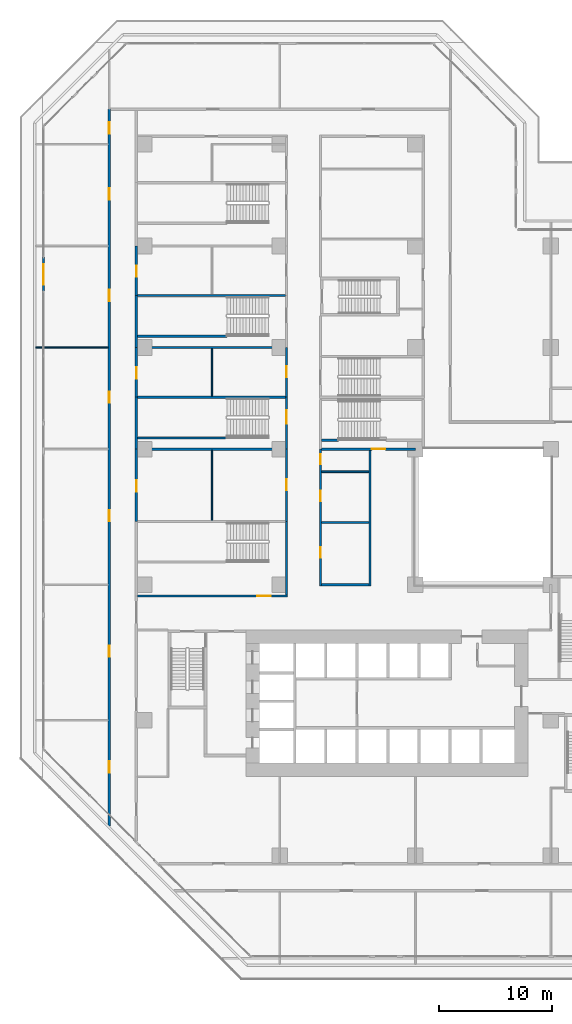
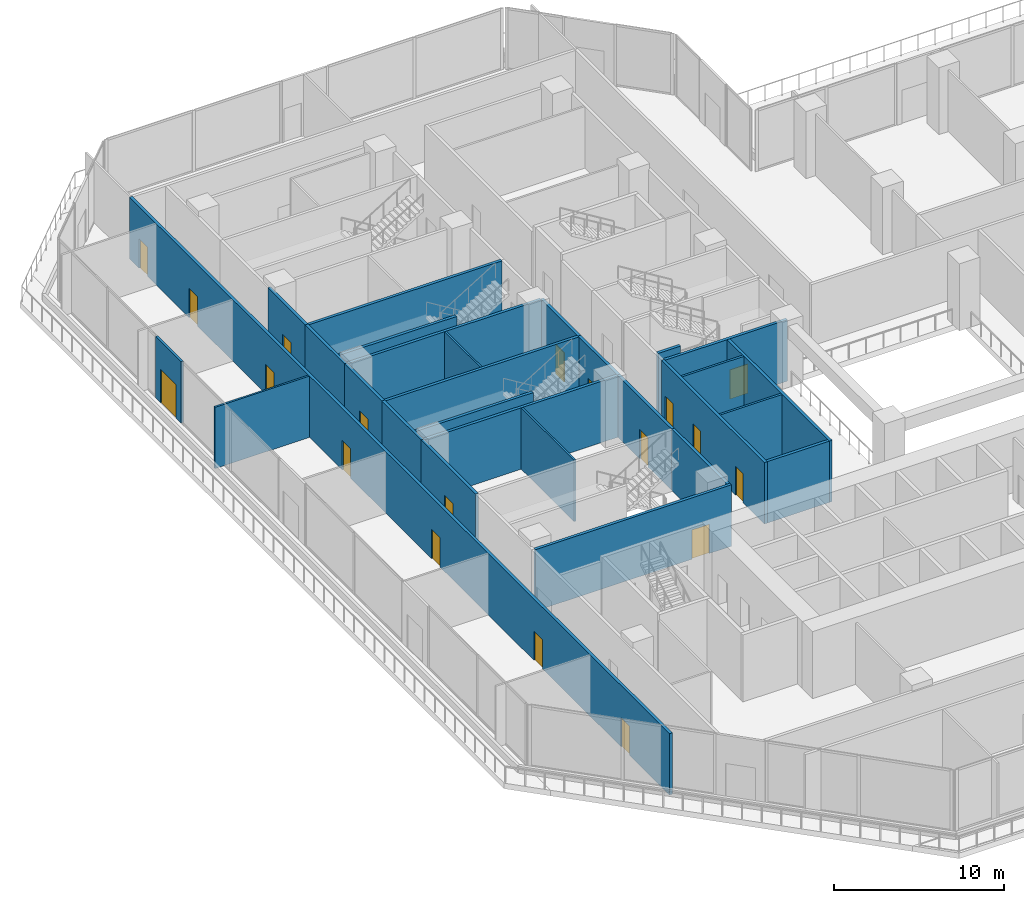
# One storey, part 15 of 26: 28 walls, 19 doors, 19 openings.
"""IFC4 building model written with IfcOpenShell, lengths in metres."""

from ifc_helpers import new_model, si_unit, direction, frame, frame_2d, origin, place, context, subcontext, project, spatial, rectangle, extrude, material, layer, layer_set, type_object, element, fill, save


model = new_model("IFC4")

# Units and contexts
model_context = context("Model", 3, precision=1e-05, world=origin(), true_north=direction((0.0, 1.0)))
body_context = subcontext(model_context, "Body", "Model", "MODEL_VIEW")
ifc_project = project(units=[si_unit("LENGTHUNIT", "METRE"), si_unit("AREAUNIT", "SQUARE_METRE"), si_unit("VOLUMEUNIT", "CUBIC_METRE"), si_unit("PLANEANGLEUNIT", "RADIAN"), si_unit("MASSUNIT", "GRAM", prefix="KILO")], contexts=[model_context])

# Site, building, storey
site_placement = place(None, origin())
site = spatial("IfcSite", under=ifc_project, at=site_placement, CompositionType="ELEMENT")
building_placement = place(site_placement, origin())
building = spatial("IfcBuilding", under=site, at=building_placement, Name="Chenar Terraces", CompositionType="ELEMENT")
storey_placement = place(building_placement, frame((0.0, 0.0, 16.800048828125)))
storey = spatial("IfcBuildingStorey", under=building, at=storey_placement, Name="L03", CompositionType="ELEMENT", Elevation=16.800048828125)

# Walls
ifc_material_1 = material(Name="Gypsum board on steel studs with mineral wool", Category="steel")
ifc_layer_1 = layer(ifc_material_1, 0.125)
ifc_layer_set_1 = layer_set([ifc_layer_1], Name="Gypsum board on steel studs with mineral wool")
wall_type_1 = type_object("IfcWallType", Name="Acoustic partition 125", PredefinedType="PARTITIONING", material=ifc_layer_set_1)
wall_1_placement = place(storey_placement, frame((-9.60009765625, 45.0, 0.0), z_axis=(0.0, 0.0, 1.0), x_axis=(1.0, 0.0, 0.0)))
element("IfcWall", 1, at=wall_1_placement, inside=storey, type_object=wall_type_1, Name="Partition L03-002", PredefinedType="PARTITIONING", context=body_context, shape_type="SweptSolid", body=[
    extrude(rectangle(XDim=6.400146484375, YDim=0.125, at=frame_2d((3.2001953125, 0.0))), origin(), (0.0, 0.0, 1.0), 4.39990234375),
])
wall_2_placement = place(storey_placement, frame((6.0, 29.699951171875, 0.0), z_axis=(0.0, 0.0, 1.0), x_axis=(0.0, 1.0, 0.0)))
element("IfcWall", 2, at=wall_2_placement, inside=storey, type_object=wall_type_1, Name="Partition L03-034", PredefinedType="PARTITIONING", context=body_context, shape_type="SweptSolid", body=[
    extrude(rectangle(XDim=6.199951171875, YDim=0.125, at=frame_2d((3.10009765625, 0.0))), origin(), (0.0, 0.0, 1.0), 4.39990234375),
])
wall_3_placement = place(storey_placement, frame((6.0, 40.699951171875, 0.0), z_axis=(0.0, 0.0, 1.0), x_axis=(0.0, 1.0, 0.0)))
element("IfcWall", 3, at=wall_3_placement, inside=storey, type_object=wall_type_1, Name="Partition L03-035", PredefinedType="PARTITIONING", context=body_context, shape_type="SweptSolid", body=[
    extrude(rectangle(XDim=4.199951171875, YDim=0.125, at=frame_2d((2.10009765625, 0.0))), origin(), (0.0, 0.0, 1.0), 4.39990234375),
])

# Wall, openings, doors
ifc_material_2 = material(Name="Gypsum board on steel studs with fire boards", Category="steel")
ifc_layer_2 = layer(ifc_material_2, 0.199951171875)
ifc_layer_set_2 = layer_set([ifc_layer_2], Name="Gypsum board on steel studs with fire boards")
wall_type_2 = type_object("IfcWallType", Name="Corridor wall 200", PredefinedType="PARTITIONING", material=ifc_layer_set_2)
wall_4_placement = place(storey_placement, frame((-3.10009765625, 2.64501953125, 0.0), z_axis=(0.0, 0.0, 1.0), x_axis=(0.0, 1.0, 0.0)))
wall_4 = element("IfcWall", 4, at=wall_4_placement, inside=storey, type_object=wall_type_2, Name="Partition L03-007", PredefinedType="PARTITIONING", context=body_context, shape_type="SweptSolid", body=[
    extrude(rectangle(XDim=63.455078125, YDim=0.199951171875, at=frame_2d((31.7275390625, 0.0))), origin(), (0.0, 0.0, 1.0), 4.39990234375),
])
opening_1_placement = place(wall_4_placement, frame((4.705078125, 0.0, 0.0)))
opening_1 = element("IfcOpeningElement", 5, at=opening_1_placement, cuts=wall_4, Name="Opening DL03-57", PredefinedType="OPENING", context=body_context, shape_type="SweptSolid", body=[
    extrude(rectangle(XDim=1.0, YDim=2.10009765625, at=frame_2d((0.5, 1.050048828125))), frame((0.0, 0.10986328125, 0.0), z_axis=(0.0, -1.0, 0.0), x_axis=(1.0, 0.0, 0.0)), (0.0, 0.0, 1.0), 0.219970703125),
])
opening_2_placement = place(wall_4_placement, frame((14.955078125, 0.0, 0.0)))
opening_2 = element("IfcOpeningElement", 6, at=opening_2_placement, cuts=wall_4, Name="Opening DL03-58", PredefinedType="OPENING", context=body_context, shape_type="SweptSolid", body=[
    extrude(rectangle(XDim=1.0, YDim=2.10009765625, at=frame_2d((0.5, 1.050048828125))), frame((0.0, 0.10986328125, 0.0), z_axis=(0.0, -1.0, 0.0), x_axis=(1.0, 0.0, 0.0)), (0.0, 0.0, 1.0), 0.219970703125),
])
opening_3_placement = place(wall_4_placement, frame((26.955078125, 0.0, 0.0)))
opening_3 = element("IfcOpeningElement", 7, at=opening_3_placement, cuts=wall_4, Name="Opening DL03-59", PredefinedType="OPENING", context=body_context, shape_type="SweptSolid", body=[
    extrude(rectangle(XDim=1.0, YDim=2.10009765625, at=frame_2d((0.5, 1.050048828125))), frame((0.0, 0.10986328125, 0.0), z_axis=(0.0, -1.0, 0.0), x_axis=(1.0, 0.0, 0.0)), (0.0, 0.0, 1.0), 0.219970703125),
])
opening_4_placement = place(wall_4_placement, frame((37.455078125, 0.0, 0.0)))
opening_4 = element("IfcOpeningElement", 8, at=opening_4_placement, cuts=wall_4, Name="Opening DL03-60", PredefinedType="OPENING", context=body_context, shape_type="SweptSolid", body=[
    extrude(rectangle(XDim=1.0, YDim=2.10009765625, at=frame_2d((0.5, 1.050048828125))), frame((0.0, 0.10986328125, 0.0), z_axis=(0.0, -1.0, 0.0), x_axis=(1.0, 0.0, 0.0)), (0.0, 0.0, 1.0), 0.219970703125),
])
opening_5_placement = place(wall_4_placement, frame((46.455078125, 0.0, 0.0)))
opening_5 = element("IfcOpeningElement", 9, at=opening_5_placement, cuts=wall_4, Name="Opening DL03-61", PredefinedType="OPENING", context=body_context, shape_type="SweptSolid", body=[
    extrude(rectangle(XDim=1.0, YDim=2.10009765625, at=frame_2d((0.5, 1.050048828125))), frame((0.0, 0.10986328125, 0.0), z_axis=(0.0, -1.0, 0.0), x_axis=(1.0, 0.0, 0.0)), (0.0, 0.0, 1.0), 0.219970703125),
])
opening_6_placement = place(wall_4_placement, frame((55.455078125, 0.0, 0.0)))
opening_6 = element("IfcOpeningElement", 10, at=opening_6_placement, cuts=wall_4, Name="Opening DL03-62", PredefinedType="OPENING", context=body_context, shape_type="SweptSolid", body=[
    extrude(rectangle(XDim=1.0, YDim=2.10009765625, at=frame_2d((0.5, 1.050048828125))), frame((0.0, 0.10986328125, 0.0), z_axis=(0.0, -1.0, 0.0), x_axis=(1.0, 0.0, 0.0)), (0.0, 0.0, 1.0), 0.219970703125),
])
opening_7_placement = place(wall_4_placement, frame((61.304931640625, 0.0, 0.0)))
opening_7 = element("IfcOpeningElement", 11, at=opening_7_placement, cuts=wall_4, Name="Opening DL03-63", PredefinedType="OPENING", context=body_context, shape_type="SweptSolid", body=[
    extrude(rectangle(XDim=1.0, YDim=2.10009765625, at=frame_2d((0.5, 1.050048828125))), frame((0.0, 0.10986328125, 0.0), z_axis=(0.0, -1.0, 0.0), x_axis=(1.0, 0.0, 0.0)), (0.0, 0.0, 1.0), 0.219970703125),
])
ifc_material_3 = material(Name="Steel-framed fire-resisting door leaf", Category="steel")
door_type_1 = type_object("IfcDoorType", Name="Fire door FD60 1000 x 2100", OperationType="SINGLE_SWING_LEFT", PredefinedType="DOOR", material=ifc_material_3)
door_1_placement = place(opening_1_placement, origin())
door_1 = element("IfcDoor", 12, at=door_1_placement, inside=storey, type_object=door_type_1, Name="Door DL03-57", OperationType="SINGLE_SWING_LEFT", OverallHeight=2.10009765625, OverallWidth=1.0, PredefinedType="DOOR", context=body_context, shape_type="SweptSolid", body=[
    extrude(rectangle(XDim=1.0, YDim=2.10009765625, at=frame_2d((0.5, 1.050048828125))), frame((0.0, 0.02490234375, 0.0), z_axis=(0.0, -1.0, 0.0), x_axis=(1.0, 0.0, 0.0)), (0.0, 0.0, 1.0), 0.050048828125),
])
fill(opening_1, door_1)
door_2_placement = place(opening_2_placement, origin())
door_2 = element("IfcDoor", 13, at=door_2_placement, inside=storey, type_object=door_type_1, Name="Door DL03-58", OperationType="SINGLE_SWING_RIGHT", OverallHeight=2.10009765625, OverallWidth=1.0, PredefinedType="DOOR", context=body_context, shape_type="SweptSolid", body=[
    extrude(rectangle(XDim=1.0, YDim=2.10009765625, at=frame_2d((0.5, 1.050048828125))), frame((0.0, 0.02490234375, 0.0), z_axis=(0.0, -1.0, 0.0), x_axis=(1.0, 0.0, 0.0)), (0.0, 0.0, 1.0), 0.050048828125),
])
fill(opening_2, door_2)
door_3_placement = place(opening_3_placement, origin())
door_3 = element("IfcDoor", 14, at=door_3_placement, inside=storey, type_object=door_type_1, Name="Door DL03-59", OperationType="SINGLE_SWING_RIGHT", OverallHeight=2.10009765625, OverallWidth=1.0, PredefinedType="DOOR", context=body_context, shape_type="SweptSolid", body=[
    extrude(rectangle(XDim=1.0, YDim=2.10009765625, at=frame_2d((0.5, 1.050048828125))), frame((0.0, 0.02490234375, 0.0), z_axis=(0.0, -1.0, 0.0), x_axis=(1.0, 0.0, 0.0)), (0.0, 0.0, 1.0), 0.050048828125),
])
fill(opening_3, door_3)
door_4_placement = place(opening_4_placement, origin())
door_4 = element("IfcDoor", 15, at=door_4_placement, inside=storey, type_object=door_type_1, Name="Door DL03-60", OperationType="SINGLE_SWING_LEFT", OverallHeight=2.10009765625, OverallWidth=1.0, PredefinedType="DOOR", context=body_context, shape_type="SweptSolid", body=[
    extrude(rectangle(XDim=1.0, YDim=2.10009765625, at=frame_2d((0.5, 1.050048828125))), frame((0.0, 0.02490234375, 0.0), z_axis=(0.0, -1.0, 0.0), x_axis=(1.0, 0.0, 0.0)), (0.0, 0.0, 1.0), 0.050048828125),
])
fill(opening_4, door_4)
door_5_placement = place(opening_5_placement, origin())
door_5 = element("IfcDoor", 16, at=door_5_placement, inside=storey, type_object=door_type_1, Name="Door DL03-61", OperationType="SINGLE_SWING_LEFT", OverallHeight=2.10009765625, OverallWidth=1.0, PredefinedType="DOOR", context=body_context, shape_type="SweptSolid", body=[
    extrude(rectangle(XDim=1.0, YDim=2.10009765625, at=frame_2d((0.5, 1.050048828125))), frame((0.0, 0.02490234375, 0.0), z_axis=(0.0, -1.0, 0.0), x_axis=(1.0, 0.0, 0.0)), (0.0, 0.0, 1.0), 0.050048828125),
])
fill(opening_5, door_5)
door_6_placement = place(opening_6_placement, origin())
door_6 = element("IfcDoor", 17, at=door_6_placement, inside=storey, type_object=door_type_1, Name="Door DL03-62", OperationType="SINGLE_SWING_LEFT", OverallHeight=2.10009765625, OverallWidth=1.0, PredefinedType="DOOR", context=body_context, shape_type="SweptSolid", body=[
    extrude(rectangle(XDim=1.0, YDim=2.10009765625, at=frame_2d((0.5, 1.050048828125))), frame((0.0, 0.02490234375, 0.0), z_axis=(0.0, -1.0, 0.0), x_axis=(1.0, 0.0, 0.0)), (0.0, 0.0, 1.0), 0.050048828125),
])
fill(opening_6, door_6)
door_7_placement = place(opening_7_placement, origin())
door_7 = element("IfcDoor", 18, at=door_7_placement, inside=storey, type_object=door_type_1, Name="Door DL03-63", OperationType="SINGLE_SWING_LEFT", OverallHeight=2.10009765625, OverallWidth=1.0, PredefinedType="DOOR", context=body_context, shape_type="SweptSolid", body=[
    extrude(rectangle(XDim=1.0, YDim=2.10009765625, at=frame_2d((0.5, 1.050048828125))), frame((0.0, 0.02490234375, 0.0), z_axis=(0.0, -1.0, 0.0), x_axis=(1.0, 0.0, 0.0)), (0.0, 0.0, 1.0), 0.050048828125),
])
fill(opening_7, door_7)

# Wall, opening, door
wall_5_placement = place(storey_placement, frame((-0.699951171875, 29.60009765625, 0.0), z_axis=(0.0, 0.0, 1.0), x_axis=(0.0, 1.0, 0.0)))
wall_5 = element("IfcWall", 19, at=wall_5_placement, inside=storey, type_object=wall_type_2, Name="Partition L03-012", PredefinedType="PARTITIONING", context=body_context, shape_type="SweptSolid", body=[
    extrude(rectangle(XDim=6.39990234375, YDim=0.199951171875, at=frame_2d((3.199951171875, 0.0))), origin(), (0.0, 0.0, 1.0), 4.39990234375),
])
opening_8_placement = place(wall_5_placement, frame((2.64990234375, 0.0, 0.0)))
opening_8 = element("IfcOpeningElement", 20, at=opening_8_placement, cuts=wall_5, Name="Opening DL03-32", PredefinedType="OPENING", context=body_context, shape_type="SweptSolid", body=[
    extrude(rectangle(XDim=1.0, YDim=2.10009765625, at=frame_2d((0.5, 1.050048828125))), frame((0.0, 0.10986328125, 0.0), z_axis=(0.0, -1.0, 0.0), x_axis=(1.0, 0.0, 0.0)), (0.0, 0.0, 1.0), 0.219970703125),
])
door_8_placement = place(opening_8_placement, frame((1.0, 0.0, 0.0), z_axis=(0.0, 0.0, 1.0), x_axis=(-1.0, 0.0, 0.0)))
door_8 = element("IfcDoor", 21, at=door_8_placement, inside=storey, type_object=door_type_1, Name="Door DL03-32", OperationType="SINGLE_SWING_LEFT", OverallHeight=2.10009765625, OverallWidth=1.0, PredefinedType="DOOR", context=body_context, shape_type="SweptSolid", body=[
    extrude(rectangle(XDim=1.0, YDim=2.10009765625, at=frame_2d((0.5, 1.050048828125))), frame((0.0, 0.02490234375, 0.0), z_axis=(0.0, -1.0, 0.0), x_axis=(1.0, 0.0, 0.0)), (0.0, 0.0, 1.0), 0.050048828125),
])
fill(opening_8, door_8)

wall_6_placement = place(storey_placement, frame((-0.699951171875, 40.60009765625, 0.0), z_axis=(0.0, 0.0, 1.0), x_axis=(0.0, 1.0, 0.0)))
wall_6 = element("IfcWall", 22, at=wall_6_placement, inside=storey, type_object=wall_type_2, Name="Partition L03-014", PredefinedType="PARTITIONING", context=body_context, shape_type="SweptSolid", body=[
    extrude(rectangle(XDim=4.39990234375, YDim=0.199951171875, at=frame_2d((2.199951171875, 0.0))), origin(), (0.0, 0.0, 1.0), 4.39990234375),
])
opening_9_placement = place(wall_6_placement, frame((1.64990234375, 0.0, 0.0)))
opening_9 = element("IfcOpeningElement", 23, at=opening_9_placement, cuts=wall_6, Name="Opening DL03-33", PredefinedType="OPENING", context=body_context, shape_type="SweptSolid", body=[
    extrude(rectangle(XDim=1.0, YDim=2.10009765625, at=frame_2d((0.5, 1.050048828125))), frame((0.0, 0.10986328125, 0.0), z_axis=(0.0, -1.0, 0.0), x_axis=(1.0, 0.0, 0.0)), (0.0, 0.0, 1.0), 0.219970703125),
])
door_9_placement = place(opening_9_placement, frame((1.0, 0.0, 0.0), z_axis=(0.0, 0.0, 1.0), x_axis=(-1.0, 0.0, 0.0)))
door_9 = element("IfcDoor", 24, at=door_9_placement, inside=storey, type_object=door_type_1, Name="Door DL03-33", OperationType="SINGLE_SWING_LEFT", OverallHeight=2.10009765625, OverallWidth=1.0, PredefinedType="DOOR", context=body_context, shape_type="SweptSolid", body=[
    extrude(rectangle(XDim=1.0, YDim=2.10009765625, at=frame_2d((0.5, 1.050048828125))), frame((0.0, 0.02490234375, 0.0), z_axis=(0.0, -1.0, 0.0), x_axis=(1.0, 0.0, 0.0)), (0.0, 0.0, 1.0), 0.050048828125),
])
fill(opening_9, door_9)

wall_7_placement = place(storey_placement, frame((-0.699951171875, 49.60009765625, 0.0), z_axis=(0.0, 0.0, 1.0), x_axis=(0.0, 1.0, 0.0)))
wall_7 = element("IfcWall", 25, at=wall_7_placement, inside=storey, type_object=wall_type_2, Name="Partition L03-016", PredefinedType="PARTITIONING", context=body_context, shape_type="SweptSolid", body=[
    extrude(rectangle(XDim=4.39990234375, YDim=0.199951171875, at=frame_2d((2.199951171875, 0.0))), origin(), (0.0, 0.0, 1.0), 4.39990234375),
])
opening_10_placement = place(wall_7_placement, frame((1.64990234375, 0.0, 0.0)))
opening_10 = element("IfcOpeningElement", 26, at=opening_10_placement, cuts=wall_7, Name="Opening DL03-34", PredefinedType="OPENING", context=body_context, shape_type="SweptSolid", body=[
    extrude(rectangle(XDim=1.0, YDim=2.10009765625, at=frame_2d((0.5, 1.050048828125))), frame((0.0, 0.10986328125, 0.0), z_axis=(0.0, -1.0, 0.0), x_axis=(1.0, 0.0, 0.0)), (0.0, 0.0, 1.0), 0.219970703125),
])
door_10_placement = place(opening_10_placement, frame((1.0, 0.0, 0.0), z_axis=(0.0, 0.0, 1.0), x_axis=(-1.0, 0.0, 0.0)))
door_10 = element("IfcDoor", 27, at=door_10_placement, inside=storey, type_object=door_type_1, Name="Door DL03-34", OperationType="SINGLE_SWING_LEFT", OverallHeight=2.10009765625, OverallWidth=1.0, PredefinedType="DOOR", context=body_context, shape_type="SweptSolid", body=[
    extrude(rectangle(XDim=1.0, YDim=2.10009765625, at=frame_2d((0.5, 1.050048828125))), frame((0.0, 0.02490234375, 0.0), z_axis=(0.0, -1.0, 0.0), x_axis=(1.0, 0.0, 0.0)), (0.0, 0.0, 1.0), 0.050048828125),
])
fill(opening_10, door_10)

wall_8_placement = place(storey_placement, frame((12.60009765625, 29.60009765625, 0.0), z_axis=(0.0, 0.0, 1.0), x_axis=(0.0, 1.0, 0.0)))
wall_8 = element("IfcWall", 28, at=wall_8_placement, inside=storey, type_object=wall_type_2, Name="Partition L03-042", PredefinedType="PARTITIONING", context=body_context, shape_type="SweptSolid", body=[
    extrude(rectangle(XDim=6.39990234375, YDim=0.199951171875, at=frame_2d((3.199951171875, 0.0))), origin(), (0.0, 0.0, 1.0), 4.39990234375),
])
opening_11_placement = place(wall_8_placement, frame((2.75, 0.0, 0.0)))
opening_11 = element("IfcOpeningElement", 29, at=opening_11_placement, cuts=wall_8, Name="Opening DL03-12", PredefinedType="OPENING", context=body_context, shape_type="SweptSolid", body=[
    extrude(rectangle(XDim=1.0, YDim=2.10009765625, at=frame_2d((0.5, 1.050048828125))), frame((0.0, 0.10986328125, 0.0), z_axis=(0.0, -1.0, 0.0), x_axis=(1.0, 0.0, 0.0)), (0.0, 0.0, 1.0), 0.219970703125),
])
door_11_placement = place(opening_11_placement, origin())
door_11 = element("IfcDoor", 30, at=door_11_placement, inside=storey, type_object=door_type_1, Name="Door DL03-12", OperationType="SINGLE_SWING_RIGHT", OverallHeight=2.10009765625, OverallWidth=1.0, PredefinedType="DOOR", context=body_context, shape_type="SweptSolid", body=[
    extrude(rectangle(XDim=1.0, YDim=2.10009765625, at=frame_2d((0.5, 1.050048828125))), frame((0.0, 0.02490234375, 0.0), z_axis=(0.0, -1.0, 0.0), x_axis=(1.0, 0.0, 0.0)), (0.0, 0.0, 1.0), 0.050048828125),
])
fill(opening_11, door_11)

wall_9_placement = place(storey_placement, frame((12.60009765625, 40.60009765625, 0.0), z_axis=(0.0, 0.0, 1.0), x_axis=(0.0, 1.0, 0.0)))
wall_9 = element("IfcWall", 31, at=wall_9_placement, inside=storey, type_object=wall_type_2, Name="Partition L03-044", PredefinedType="PARTITIONING", context=body_context, shape_type="SweptSolid", body=[
    extrude(rectangle(XDim=4.39990234375, YDim=0.199951171875, at=frame_2d((2.199951171875, 0.0))), origin(), (0.0, 0.0, 1.0), 4.39990234375),
])
opening_12_placement = place(wall_9_placement, frame((1.75, 0.0, 0.0)))
opening_12 = element("IfcOpeningElement", 32, at=opening_12_placement, cuts=wall_9, Name="Opening DL03-13", PredefinedType="OPENING", context=body_context, shape_type="SweptSolid", body=[
    extrude(rectangle(XDim=1.0, YDim=2.10009765625, at=frame_2d((0.5, 1.050048828125))), frame((0.0, 0.10986328125, 0.0), z_axis=(0.0, -1.0, 0.0), x_axis=(1.0, 0.0, 0.0)), (0.0, 0.0, 1.0), 0.219970703125),
])
door_12_placement = place(opening_12_placement, origin())
door_12 = element("IfcDoor", 33, at=door_12_placement, inside=storey, type_object=door_type_1, Name="Door DL03-13", OperationType="SINGLE_SWING_RIGHT", OverallHeight=2.10009765625, OverallWidth=1.0, PredefinedType="DOOR", context=body_context, shape_type="SweptSolid", body=[
    extrude(rectangle(XDim=1.0, YDim=2.10009765625, at=frame_2d((0.5, 1.050048828125))), frame((0.0, 0.02490234375, 0.0), z_axis=(0.0, -1.0, 0.0), x_axis=(1.0, 0.0, 0.0)), (0.0, 0.0, 1.0), 0.050048828125),
])
fill(opening_12, door_12)

# Wall, openings, doors
wall_10_placement = place(storey_placement, frame((15.60009765625, 23.89990234375, 0.0), z_axis=(0.0, 0.0, 1.0), x_axis=(0.0, 1.0, 0.0)))
wall_10 = element("IfcWall", 34, at=wall_10_placement, inside=storey, type_object=wall_type_2, Name="Partition L03-050", PredefinedType="PARTITIONING", context=body_context, shape_type="SweptSolid", body=[
    extrude(rectangle(XDim=12.10009765625, YDim=0.199951171875, at=frame_2d((6.050048828125, 0.0))), origin(), (0.0, 0.0, 1.0), 4.39990234375),
])
opening_13_placement = place(wall_10_placement, frame((10.75, 0.0, 0.0)))
opening_13 = element("IfcOpeningElement", 35, at=opening_13_placement, cuts=wall_10, Name="Opening DL03-73", PredefinedType="OPENING", context=body_context, shape_type="SweptSolid", body=[
    extrude(rectangle(XDim=0.89990234375, YDim=2.10009765625, at=frame_2d((0.449951171875, 1.050048828125))), frame((0.0, 0.10986328125, 0.0), z_axis=(0.0, -1.0, 0.0), x_axis=(1.0, 0.0, 0.0)), (0.0, 0.0, 1.0), 0.219970703125),
])
opening_14_placement = place(wall_10_placement, frame((7.5, 0.0, 0.0)))
opening_14 = element("IfcOpeningElement", 36, at=opening_14_placement, cuts=wall_10, Name="Opening DL03-74", PredefinedType="OPENING", context=body_context, shape_type="SweptSolid", body=[
    extrude(rectangle(XDim=0.89990234375, YDim=2.10009765625, at=frame_2d((0.449951171875, 1.050048828125))), frame((0.0, 0.10986328125, 0.0), z_axis=(0.0, -1.0, 0.0), x_axis=(1.0, 0.0, 0.0)), (0.0, 0.0, 1.0), 0.219970703125),
])
opening_15_placement = place(wall_10_placement, frame((2.5, 0.0, 0.0)))
opening_15 = element("IfcOpeningElement", 37, at=opening_15_placement, cuts=wall_10, Name="Opening DL03-75", PredefinedType="OPENING", context=body_context, shape_type="SweptSolid", body=[
    extrude(rectangle(XDim=0.89990234375, YDim=2.10009765625, at=frame_2d((0.449951171875, 1.050048828125))), frame((0.0, 0.10986328125, 0.0), z_axis=(0.0, -1.0, 0.0), x_axis=(1.0, 0.0, 0.0)), (0.0, 0.0, 1.0), 0.219970703125),
])
ifc_material_4 = material(Name="Steel-framed fire-resisting door leaf", Category="steel")
door_type_2 = type_object("IfcDoorType", Name="Fire door FD60 900 x 2100", OperationType="SINGLE_SWING_LEFT", PredefinedType="DOOR", material=ifc_material_4)
door_13_placement = place(opening_13_placement, frame((0.89990234375, 0.0, 0.0), z_axis=(0.0, 0.0, 1.0), x_axis=(-1.0, 0.0, 0.0)))
door_13 = element("IfcDoor", 38, at=door_13_placement, inside=storey, type_object=door_type_2, Name="Door DL03-73", OperationType="SINGLE_SWING_LEFT", OverallHeight=2.10009765625, OverallWidth=0.89990234375, PredefinedType="DOOR", context=body_context, shape_type="SweptSolid", body=[
    extrude(rectangle(XDim=0.89990234375, YDim=2.10009765625, at=frame_2d((0.449951171875, 1.050048828125))), frame((0.0, 0.02490234375, 0.0), z_axis=(0.0, -1.0, 0.0), x_axis=(1.0, 0.0, 0.0)), (0.0, 0.0, 1.0), 0.050048828125),
])
fill(opening_13, door_13)
door_14_placement = place(opening_14_placement, frame((0.89990234375, 0.0, 0.0), z_axis=(0.0, 0.0, 1.0), x_axis=(-1.0, 0.0, 0.0)))
door_14 = element("IfcDoor", 39, at=door_14_placement, inside=storey, type_object=door_type_2, Name="Door DL03-74", OperationType="SINGLE_SWING_RIGHT", OverallHeight=2.10009765625, OverallWidth=0.89990234375, PredefinedType="DOOR", context=body_context, shape_type="SweptSolid", body=[
    extrude(rectangle(XDim=0.89990234375, YDim=2.10009765625, at=frame_2d((0.449951171875, 1.050048828125))), frame((0.0, 0.02490234375, 0.0), z_axis=(0.0, -1.0, 0.0), x_axis=(1.0, 0.0, 0.0)), (0.0, 0.0, 1.0), 0.050048828125),
])
fill(opening_14, door_14)
door_15_placement = place(opening_15_placement, frame((0.89990234375, 0.0, 0.0), z_axis=(0.0, 0.0, 1.0), x_axis=(-1.0, 0.0, 0.0)))
door_15 = element("IfcDoor", 40, at=door_15_placement, inside=storey, type_object=door_type_2, Name="Door DL03-75", OperationType="SINGLE_SWING_RIGHT", OverallHeight=2.10009765625, OverallWidth=0.89990234375, PredefinedType="DOOR", context=body_context, shape_type="SweptSolid", body=[
    extrude(rectangle(XDim=0.89990234375, YDim=2.10009765625, at=frame_2d((0.449951171875, 1.050048828125))), frame((0.0, 0.02490234375, 0.0), z_axis=(0.0, -1.0, 0.0), x_axis=(1.0, 0.0, 0.0)), (0.0, 0.0, 1.0), 0.050048828125),
])
fill(opening_15, door_15)

# Walls
wall_11_placement = place(storey_placement, frame((15.699951171875, 24.0, 0.0), z_axis=(0.0, 0.0, 1.0), x_axis=(1.0, 0.0, 0.0)))
element("IfcWall", 41, at=wall_11_placement, inside=storey, type_object=wall_type_2, Name="Partition L03-055", PredefinedType="PARTITIONING", context=body_context, shape_type="SweptSolid", body=[
    extrude(rectangle(XDim=4.199951171875, YDim=0.199951171875, at=frame_2d((2.10009765625, 0.0))), origin(), (0.0, 0.0, 1.0), 4.39990234375),
])
wall_12_placement = place(storey_placement, frame((20.0, 23.89990234375, 0.0), z_axis=(0.0, 0.0, 1.0), x_axis=(0.0, 1.0, 0.0)))
element("IfcWall", 42, at=wall_12_placement, inside=storey, type_object=wall_type_2, Name="Partition L03-063", PredefinedType="PARTITIONING", context=body_context, shape_type="SweptSolid", body=[
    extrude(rectangle(XDim=12.0, YDim=0.199951171875, at=frame_2d((6.0, 0.0))), origin(), (0.0, 0.0, 1.0), 4.39990234375),
])

# Wall, opening, door
ifc_material_5 = material(Name="Aluminium framed glazing", Category="aluminium")
ifc_layer_3 = layer(ifc_material_5, 0.14990234375)
ifc_layer_set_3 = layer_set([ifc_layer_3], Name="Aluminium framed glazing")
wall_type_3 = type_object("IfcWallType", Name="Podium glazed wall 150", PredefinedType="SOLIDWALL", material=ifc_layer_set_3)
wall_13_placement = place(storey_placement, frame((-8.925048828125, 52.978271484375, 0.0), z_axis=(0.0, 0.0, 1.0), x_axis=(0.0, -1.0, 0.0)))
wall_13 = element("IfcWall", 43, at=wall_13_placement, inside=storey, type_object=wall_type_3, Name="Podium glazed wall", PredefinedType="SOLIDWALL", context=body_context, shape_type="SweptSolid", body=[
    extrude(rectangle(XDim=3.0, YDim=0.14990234375, at=frame_2d((1.5, 0.0))), origin(), (0.0, 0.0, 1.0), 4.39990234375),
])
opening_16_placement = place(wall_13_placement, frame((0.60009765625, 0.0, 0.0)))
opening_16 = element("IfcOpeningElement", 44, at=opening_16_placement, cuts=wall_13, Name="Opening DL03-T1", PredefinedType="OPENING", context=body_context, shape_type="SweptSolid", body=[
    extrude(rectangle(XDim=1.800048828125, YDim=2.39990234375, at=frame_2d((0.89990234375, 1.199951171875))), frame((0.0, 0.0849609375, 0.0), z_axis=(0.0, -1.0, 0.0), x_axis=(1.0, 0.0, 0.0)), (0.0, 0.0, 1.0), 0.169921875),
])
ifc_material_6 = material(Name="Low emissivity double glazing, aluminium frame", Category="aluminium")
door_type_3 = type_object("IfcDoorType", Name="Terrace glazed double door 1800 x 2400", OperationType="DOUBLE_DOOR_SINGLE_SWING", PredefinedType="DOOR", material=ifc_material_6)
door_16_placement = place(opening_16_placement, origin())
door_16 = element("IfcDoor", 45, at=door_16_placement, inside=storey, type_object=door_type_3, Name="Terrace glazed door", OperationType="DOUBLE_DOOR_SINGLE_SWING", OverallHeight=2.39990234375, OverallWidth=1.800048828125, PredefinedType="DOOR", context=body_context, shape_type="SweptSolid", body=[
    extrude(rectangle(XDim=1.800048828125, YDim=2.39990234375, at=frame_2d((0.89990234375, 1.199951171875))), frame((0.0, 0.02490234375, 0.0), z_axis=(0.0, -1.0, 0.0), x_axis=(1.0, 0.0, 0.0)), (0.0, 0.0, 1.0), 0.050048828125),
])
fill(opening_16, door_16)

# Walls
ifc_material_7 = material(Name="Reinforced concrete C40/50", Category="concrete")
ifc_layer_4 = layer(ifc_material_7, 0.199951171875)
ifc_layer_set_4 = layer_set([ifc_layer_4], Name="Reinforced concrete C40/50")
wall_type_4 = type_object("IfcWallType", Name="Stair enclosure wall 200 concrete", PredefinedType="SOLIDWALL", material=ifc_layer_set_4)
for number, where, z_axis, x_axis, name in (
    (46, (-0.699951171875, 36.0, 0.0), (0.0, 0.0, 1.0), (0.0, 1.0, 0.0), "Stair enclosure wall L03-013"),
    (47, (-0.699951171875, 45.0, 0.0), (0.0, 0.0, 1.0), (0.0, 1.0, 0.0), "Stair enclosure wall L03-015"),
):
    element("IfcWall", number, at=place(storey_placement, frame(where, z_axis=z_axis, x_axis=x_axis)), inside=storey, type_object=wall_type_4, Name=name, PredefinedType="SOLIDWALL", context=body_context, shape_type="SweptSolid", body=[
        extrude(rectangle(XDim=4.60009765625, YDim=0.199951171875, at=frame_2d((2.300048828125, 0.0))), origin(), (0.0, 0.0, 1.0), 4.39990234375),
    ])

# Wall, opening, door
wall_14_placement = place(storey_placement, frame((-0.60009765625, 23.0, 0.0), z_axis=(0.0, 0.0, 1.0), x_axis=(1.0, 0.0, 0.0)))
wall_14 = element("IfcWall", 48, at=wall_14_placement, inside=storey, type_object=wall_type_4, Name="Stair enclosure wall L03-021", PredefinedType="SOLIDWALL", context=body_context, shape_type="SweptSolid", body=[
    extrude(rectangle(XDim=13.300048828125, YDim=0.199951171875, at=frame_2d((6.64990234375, 0.0))), origin(), (0.0, 0.0, 1.0), 4.39990234375),
])
opening_17_placement = place(wall_14_placement, frame((10.60009765625, 0.0, 0.0)))
opening_17 = element("IfcOpeningElement", 49, at=opening_17_placement, cuts=wall_14, Name="Opening DL03-68", PredefinedType="OPENING", context=body_context, shape_type="SweptSolid", body=[
    extrude(rectangle(XDim=1.199951171875, YDim=2.10009765625, at=frame_2d((0.60009765625, 1.050048828125))), frame((0.0, 0.10986328125, 0.0), z_axis=(0.0, -1.0, 0.0), x_axis=(1.0, 0.0, 0.0)), (0.0, 0.0, 1.0), 0.219970703125),
])
ifc_material_8 = material(Name="Steel-framed fire-resisting door leaf", Category="steel")
door_type_4 = type_object("IfcDoorType", Name="Fire door FD120 1200 x 2100", OperationType="SINGLE_SWING_LEFT", PredefinedType="DOOR", material=ifc_material_8)
door_17_placement = place(opening_17_placement, origin())
door_17 = element("IfcDoor", 50, at=door_17_placement, inside=storey, type_object=door_type_4, Name="Door DL03-68", OperationType="SINGLE_SWING_RIGHT", OverallHeight=2.10009765625, OverallWidth=1.199951171875, PredefinedType="DOOR", context=body_context, shape_type="SweptSolid", body=[
    extrude(rectangle(XDim=1.199951171875, YDim=2.10009765625, at=frame_2d((0.60009765625, 1.050048828125))), frame((0.0, 0.02490234375, 0.0), z_axis=(0.0, -1.0, 0.0), x_axis=(1.0, 0.0, 0.0)), (0.0, 0.0, 1.0), 0.050048828125),
])
fill(opening_17, door_17)

# Walls
for number, where, z_axis, x_axis, name in (
    (51, (-0.60009765625, 36.0, 0.0), (0.0, 0.0, 1.0), (1.0, 0.0, 0.0), "Stair enclosure wall L03-023"),
    (52, (-0.60009765625, 40.60009765625, 0.0), (0.0, 0.0, 1.0), (1.0, 0.0, 0.0), "Stair enclosure wall L03-024"),
    (53, (-0.60009765625, 45.0, 0.0), (0.0, 0.0, 1.0), (1.0, 0.0, 0.0), "Stair enclosure wall L03-025"),
    (54, (-0.60009765625, 49.60009765625, 0.0), (0.0, 0.0, 1.0), (1.0, 0.0, 0.0), "Stair enclosure wall L03-026"),
):
    element("IfcWall", number, at=place(storey_placement, frame(where, z_axis=z_axis, x_axis=x_axis)), inside=storey, type_object=wall_type_4, Name=name, PredefinedType="SOLIDWALL", context=body_context, shape_type="SweptSolid", body=[
        extrude(rectangle(XDim=13.10009765625, YDim=0.199951171875, at=frame_2d((6.550048828125, 0.0))), origin(), (0.0, 0.0, 1.0), 4.39990234375),
    ])
wall_15_placement = place(storey_placement, frame((12.60009765625, 23.10009765625, 0.0), z_axis=(0.0, 0.0, 1.0), x_axis=(0.0, 1.0, 0.0)))
element("IfcWall", 55, at=wall_15_placement, inside=storey, type_object=wall_type_4, Name="Stair enclosure wall L03-041", PredefinedType="SOLIDWALL", context=body_context, shape_type="SweptSolid", body=[
    extrude(rectangle(XDim=6.5, YDim=0.199951171875, at=frame_2d((3.25, 0.0))), origin(), (0.0, 0.0, 1.0), 4.39990234375),
])

# Wall, opening, door
wall_16_placement = place(storey_placement, frame((12.60009765625, 36.0, 0.0), z_axis=(0.0, 0.0, 1.0), x_axis=(0.0, 1.0, 0.0)))
wall_16 = element("IfcWall", 56, at=wall_16_placement, inside=storey, type_object=wall_type_4, Name="Stair enclosure wall L03-043", PredefinedType="SOLIDWALL", context=body_context, shape_type="SweptSolid", body=[
    extrude(rectangle(XDim=4.60009765625, YDim=0.199951171875, at=frame_2d((2.300048828125, 0.0))), origin(), (0.0, 0.0, 1.0), 4.39990234375),
])
opening_18_placement = place(wall_16_placement, frame((2.25, 0.0, 0.0)))
opening_18 = element("IfcOpeningElement", 57, at=opening_18_placement, cuts=wall_16, Name="Opening DL03-72", PredefinedType="OPENING", context=body_context, shape_type="SweptSolid", body=[
    extrude(rectangle(XDim=1.199951171875, YDim=2.10009765625, at=frame_2d((0.60009765625, 1.050048828125))), frame((0.0, 0.10986328125, 0.0), z_axis=(0.0, -1.0, 0.0), x_axis=(1.0, 0.0, 0.0)), (0.0, 0.0, 1.0), 0.219970703125),
])
door_18_placement = place(opening_18_placement, origin())
door_18 = element("IfcDoor", 58, at=door_18_placement, inside=storey, type_object=door_type_4, Name="Door DL03-72", OperationType="SINGLE_SWING_RIGHT", OverallHeight=2.10009765625, OverallWidth=1.199951171875, PredefinedType="DOOR", context=body_context, shape_type="SweptSolid", body=[
    extrude(rectangle(XDim=1.199951171875, YDim=2.10009765625, at=frame_2d((0.60009765625, 1.050048828125))), frame((0.0, 0.02490234375, 0.0), z_axis=(0.0, -1.0, 0.0), x_axis=(1.0, 0.0, 0.0)), (0.0, 0.0, 1.0), 0.050048828125),
])
fill(opening_18, door_18)

wall_17_placement = place(storey_placement, frame((15.699951171875, 36.0, 0.0), z_axis=(0.0, 0.0, 1.0), x_axis=(1.0, 0.0, 0.0)))
wall_17 = element("IfcWall", 59, at=wall_17_placement, inside=storey, type_object=wall_type_4, Name="Stair enclosure wall L03-058", PredefinedType="SOLIDWALL", context=body_context, shape_type="SweptSolid", body=[
    extrude(rectangle(XDim=8.300048828125, YDim=0.199951171875, at=frame_2d((4.14990234375, 0.0))), origin(), (0.0, 0.0, 1.0), 4.39990234375),
])
opening_19_placement = place(wall_17_placement, frame((4.449951171875, 0.0, 0.0)))
opening_19 = element("IfcOpeningElement", 60, at=opening_19_placement, cuts=wall_17, Name="Opening DL03-70", PredefinedType="OPENING", context=body_context, shape_type="SweptSolid", body=[
    extrude(rectangle(XDim=1.199951171875, YDim=2.10009765625, at=frame_2d((0.60009765625, 1.050048828125))), frame((0.0, 0.10986328125, 0.0), z_axis=(0.0, -1.0, 0.0), x_axis=(1.0, 0.0, 0.0)), (0.0, 0.0, 1.0), 0.219970703125),
])
door_19_placement = place(opening_19_placement, origin())
door_19 = element("IfcDoor", 61, at=door_19_placement, inside=storey, type_object=door_type_4, Name="Door DL03-70", OperationType="SINGLE_SWING_RIGHT", OverallHeight=2.10009765625, OverallWidth=1.199951171875, PredefinedType="DOOR", context=body_context, shape_type="SweptSolid", body=[
    extrude(rectangle(XDim=1.199951171875, YDim=2.10009765625, at=frame_2d((0.60009765625, 1.050048828125))), frame((0.0, 0.02490234375, 0.0), z_axis=(0.0, -1.0, 0.0), x_axis=(1.0, 0.0, 0.0)), (0.0, 0.0, 1.0), 0.050048828125),
])
fill(opening_19, door_19)

# Walls
wall_18_placement = place(storey_placement, frame((-0.60009765625, 46.0, 0.0), z_axis=(0.0, 0.0, 1.0), x_axis=(1.0, 0.0, 0.0)))
element("IfcWall", 62, at=wall_18_placement, inside=storey, type_object=wall_type_4, Name="Stair enclosure wall L03-PS4-027", PredefinedType="SOLIDWALL", context=body_context, shape_type="SweptSolid", body=[
    extrude(rectangle(XDim=7.945068359375, YDim=0.199951171875, at=frame_2d((3.97265625, 0.0))), origin(), (0.0, 0.0, 1.0), 4.39990234375),
])
wall_19_placement = place(storey_placement, frame((15.699951171875, 36.800048828125, 0.0), z_axis=(0.0, 0.0, 1.0), x_axis=(1.0, 0.0, 0.0)))
element("IfcWall", 63, at=wall_19_placement, inside=storey, type_object=wall_type_4, Name="Stair enclosure wall L03-PS7-054", PredefinedType="SOLIDWALL", context=body_context, shape_type="SweptSolid", body=[
    extrude(rectangle(XDim=1.51513671875, YDim=0.199951171875, at=frame_2d((0.757568359375, 0.0))), origin(), (0.0, 0.0, 1.0), 4.39990234375),
])
wall_20_placement = place(storey_placement, frame((-0.60009765625, 37.0, 0.0), z_axis=(0.0, 0.0, 1.0), x_axis=(1.0, 0.0, 0.0)))
element("IfcWall", 64, at=wall_20_placement, inside=storey, type_object=wall_type_4, Name="Stair enclosure wall L03-PS9-067", PredefinedType="SOLIDWALL", context=body_context, shape_type="SweptSolid", body=[
    extrude(rectangle(XDim=7.945068359375, YDim=0.199951171875, at=frame_2d((3.97265625, 0.0))), origin(), (0.0, 0.0, 1.0), 4.39990234375),
])
ifc_material_9 = material(Name="Moisture-resistant gypsum board on steel studs", Category="steel")
ifc_layer_5 = layer(ifc_material_9, 0.14990234375)
ifc_layer_set_5 = layer_set([ifc_layer_5], Name="Moisture-resistant gypsum board on steel studs")
wall_type_5 = type_object("IfcWallType", Name="Wet-room partition 150", PredefinedType="PARTITIONING", material=ifc_layer_set_5)
for number, where, z_axis, x_axis, name in (
    (65, (15.699951171875, 29.5, 0.0), (0.0, 0.0, 1.0), (1.0, 0.0, 0.0), "Partition L03-056"),
    (66, (15.699951171875, 34.0, 0.0), (0.0, 0.0, 1.0), (1.0, 0.0, 0.0), "Partition L03-057"),
):
    element("IfcWall", number, at=place(storey_placement, frame(where, z_axis=z_axis, x_axis=x_axis)), inside=storey, type_object=wall_type_5, Name=name, PredefinedType="PARTITIONING", context=body_context, shape_type="SweptSolid", body=[
        extrude(rectangle(XDim=4.199951171875, YDim=0.14990234375, at=frame_2d((2.10009765625, 0.0))), origin(), (0.0, 0.0, 1.0), 4.39990234375),
    ])

save(model, "model.ifc")
